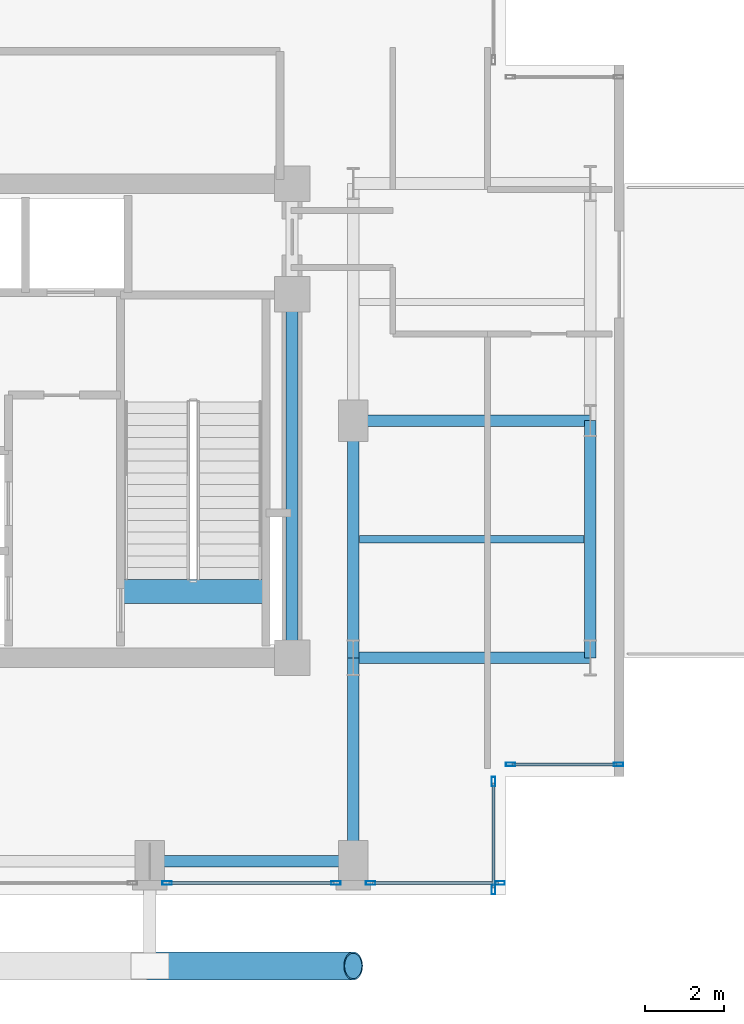
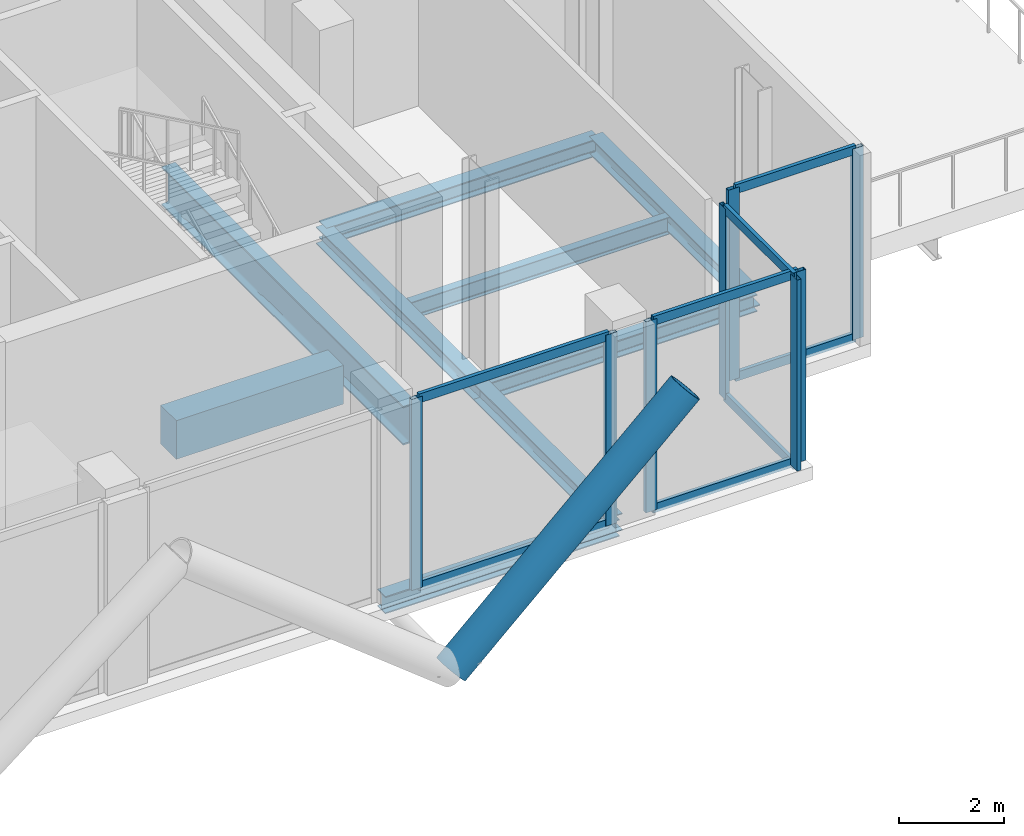
# One storey, part 8 of 19: 17 members, 9 beams, 4 elements without a shape of their own.
"""IFC4 building model written with IfcOpenShell, lengths in metres."""

from ifc_helpers import new_model, si_unit, direction, frame, origin, origin_2d, place, context, subcontext, project, spatial, rectangle, hollow_rectangle, hollow_circle, i_section, extrude, material, layer, layer_set, material_profile, profile_set, type_object, element, aggregate, save


model = new_model("IFC4")

# Units and contexts
model_context = context("Model", 3, precision=1e-05, world=origin(), true_north=direction((0.0, 1.0)))
body_context = subcontext(model_context, "Body", "Model", "MODEL_VIEW")
ifc_project = project(units=[si_unit("LENGTHUNIT", "METRE"), si_unit("AREAUNIT", "SQUARE_METRE"), si_unit("VOLUMEUNIT", "CUBIC_METRE"), si_unit("PLANEANGLEUNIT", "RADIAN"), si_unit("MASSUNIT", "GRAM", prefix="KILO"), si_unit("THERMODYNAMICTEMPERATUREUNIT", "KELVIN"), si_unit("POWERUNIT", "WATT")], contexts=[model_context])

# Site, building, storey
site_placement = place(None, origin())
site = spatial("IfcSite", under=ifc_project, at=site_placement, CompositionType="ELEMENT")
building_placement = place(site_placement, origin())
building = spatial("IfcBuilding", under=site, at=building_placement, Name="Svarakhadi Broadcast Tower", CompositionType="ELEMENT")
storey_placement = place(building_placement, frame((0.0, 0.0, 204.0)))
storey = spatial("IfcBuildingStorey", under=building, at=storey_placement, Name="L50", CompositionType="ELEMENT", Elevation=204.0)

# Beam
ifc_material_1 = material(Name="Steel S355J2 (IS 2062 E350C)", Category="steel")
ifc_material_profile_1 = material_profile(ifc_material_1, i_section(OverallWidth=0.179931640625, OverallDepth=0.39990234375, WebThickness=0.008544921875, FlangeThickness=0.013427734375, FilletRadius=0.02099609375, at=origin_2d()), Name="NPB 400x180x66")
ifc_profile_set_1 = profile_set([ifc_material_profile_1], Name="Steel S355J2 (IS 2062 E350C)")
beam_type_1 = type_object("IfcBeamType", Name="Beam_NPB400", PredefinedType="BEAM", material=ifc_profile_set_1)
beam_1_placement = place(storey_placement, frame((35.31005859375, 9.0, -0.5), z_axis=(1.0, 0.0, 0.0), x_axis=(0.0, 1.0, 0.0)))
element("IfcBeam", 1, at=beam_1_placement, inside=storey, type_object=beam_type_1, Name="L50 Secondary Composite Beam SB016", PredefinedType="BEAM", context=body_context, shape_type="SweptSolid", body=[
    extrude(i_section(OverallWidth=0.179931640625, OverallDepth=0.39990234375, WebThickness=0.008544921875, FlangeThickness=0.013427734375, FilletRadius=0.02099609375, at=origin_2d()), origin(), (0.0, 0.0, 1.0), 5.679931640625),
])

# Curtain wall, members
ifc_material_2 = material(Name="Anodised Bronze Aluminium AA 6063-T6", Category="aluminium")
ifc_layer = layer(ifc_material_2, 0.239990234375)
ifc_layer_set = layer_set([ifc_layer], Name="Anodised Bronze Aluminium AA 6063-T6")
curtain_wall_type = type_object("IfcCurtainWallType", Name="CW_Sys_06", PredefinedType="NOTDEFINED", material=ifc_layer_set)
curtain_wall_1_placement = place(storey_placement, origin())
curtain_wall_1 = element("IfcCurtainWall", 2, at=curtain_wall_1_placement, inside=storey, type_object=curtain_wall_type, Name="L50 Unitised Facade Curtain Wall 12", PredefinedType="NOTDEFINED")
ifc_material_profile_2 = material_profile(ifc_material_2, hollow_rectangle(XDim=0.090087890625, YDim=0.239990234375, WallThickness=0.006103515625, at=origin_2d()), Name="ALU MULLION 240x90x6")
ifc_profile_set_2 = profile_set([ifc_material_profile_2], Name="Anodised Bronze Aluminium AA 6063-T6")
member_type_1 = type_object("IfcMemberType", Name="CW_Sys_06_Mul", PredefinedType="MULLION", material=ifc_profile_set_2)
member_1_placement = place(storey_placement, frame((41.864990234375, 3.300048828125, 0.0), z_axis=(0.0, 0.0, 1.0), x_axis=(0.0, -1.0, 0.0)))
member_1 = element("IfcMember", 3, at=member_1_placement, type_object=member_type_1, Name="CW-06 mullion 1", PredefinedType="MULLION", context=body_context, shape_type="SweptSolid", body=[
    extrude(hollow_rectangle(XDim=0.090087890625, YDim=0.239990234375, WallThickness=0.006103515625, at=origin_2d()), origin(), (0.0, 0.0, 1.0), 4.43994140625),
])
member_2_placement = place(storey_placement, frame((39.135009765625, 3.300048828125, 0.0), z_axis=(0.0, 0.0, 1.0), x_axis=(0.0, -1.0, 0.0)))
member_2 = element("IfcMember", 4, at=member_2_placement, type_object=member_type_1, Name="CW-06 mullion 2", PredefinedType="MULLION", context=body_context, shape_type="SweptSolid", body=[
    extrude(hollow_rectangle(XDim=0.090087890625, YDim=0.239990234375, WallThickness=0.006103515625, at=origin_2d()), origin(), (0.0, 0.0, 1.0), 4.43994140625),
])

curtain_wall_2_placement = place(storey_placement, origin())
curtain_wall_2 = element("IfcCurtainWall", 5, at=curtain_wall_2_placement, inside=storey, type_object=curtain_wall_type, Name="L50 Unitised Facade Curtain Wall 13", PredefinedType="NOTDEFINED")
member_3_placement = place(storey_placement, frame((38.699951171875, 2.864990234375, 0.0), z_axis=(0.0, 0.0, 1.0), x_axis=(1.0, 0.0, 0.0)))
member_3 = element("IfcMember", 6, at=member_3_placement, type_object=member_type_1, Name="CW-06 mullion 1", PredefinedType="MULLION", context=body_context, shape_type="SweptSolid", body=[
    extrude(hollow_rectangle(XDim=0.090087890625, YDim=0.239990234375, WallThickness=0.006103515625, at=origin_2d()), origin(), (0.0, 0.0, 1.0), 4.43994140625),
])
member_4_placement = place(storey_placement, frame((38.699951171875, 0.135009765625, 0.0), z_axis=(0.0, 0.0, 1.0), x_axis=(1.0, 0.0, 0.0)))
member_4 = element("IfcMember", 7, at=member_4_placement, type_object=member_type_1, Name="CW-06 mullion 2", PredefinedType="MULLION", context=body_context, shape_type="SweptSolid", body=[
    extrude(hollow_rectangle(XDim=0.090087890625, YDim=0.239990234375, WallThickness=0.006103515625, at=origin_2d()), origin(), (0.0, 0.0, 1.0), 4.43994140625),
])

curtain_wall_3_placement = place(storey_placement, origin())
curtain_wall_3 = element("IfcCurtainWall", 8, at=curtain_wall_3_placement, inside=storey, type_object=curtain_wall_type, Name="L50 South Curtain Wall 14 Bay 1", PredefinedType="NOTDEFINED")
member_5_placement = place(storey_placement, frame((38.864990234375, 0.300048828125, 0.0), z_axis=(0.0, 0.0, 1.0), x_axis=(0.0, -1.0, 0.0)))
member_5 = element("IfcMember", 9, at=member_5_placement, type_object=member_type_1, Name="CW-06 mullion 1", PredefinedType="MULLION", context=body_context, shape_type="SweptSolid", body=[
    extrude(hollow_rectangle(XDim=0.090087890625, YDim=0.239990234375, WallThickness=0.006103515625, at=origin_2d()), origin(), (0.0, 0.0, 1.0), 4.43994140625),
])
member_6_placement = place(storey_placement, frame((35.590087890625, 0.300048828125, 0.0), z_axis=(0.0, 0.0, 1.0), x_axis=(0.0, -1.0, 0.0)))
member_6 = element("IfcMember", 10, at=member_6_placement, type_object=member_type_1, Name="CW-06 mullion 2", PredefinedType="MULLION", context=body_context, shape_type="SweptSolid", body=[
    extrude(hollow_rectangle(XDim=0.090087890625, YDim=0.239990234375, WallThickness=0.006103515625, at=origin_2d()), origin(), (0.0, 0.0, 1.0), 4.43994140625),
])

curtain_wall_4_placement = place(storey_placement, origin())
curtain_wall_4 = element("IfcCurtainWall", 11, at=curtain_wall_4_placement, inside=storey, type_object=curtain_wall_type, Name="L50 South Curtain Wall 14 Bay 2", PredefinedType="NOTDEFINED")
member_7_placement = place(storey_placement, frame((34.7099609375, 0.300048828125, 0.0), z_axis=(0.0, 0.0, 1.0), x_axis=(0.0, -1.0, 0.0)))
member_7 = element("IfcMember", 12, at=member_7_placement, type_object=member_type_1, Name="CW-06 mullion 1", PredefinedType="MULLION", context=body_context, shape_type="SweptSolid", body=[
    extrude(hollow_rectangle(XDim=0.090087890625, YDim=0.239990234375, WallThickness=0.006103515625, at=origin_2d()), origin(), (0.0, 0.0, 1.0), 4.43994140625),
])
member_8_placement = place(storey_placement, frame((30.43994140625, 0.300048828125, 0.0), z_axis=(0.0, 0.0, 1.0), x_axis=(0.0, -1.0, 0.0)))
member_8 = element("IfcMember", 13, at=member_8_placement, type_object=member_type_1, Name="CW-06 mullion 2", PredefinedType="MULLION", context=body_context, shape_type="SweptSolid", body=[
    extrude(hollow_rectangle(XDim=0.090087890625, YDim=0.239990234375, WallThickness=0.006103515625, at=origin_2d()), origin(), (0.0, 0.0, 1.0), 4.43994140625),
])

# Member
ifc_material_profile_3 = material_profile(ifc_material_2, hollow_rectangle(XDim=0.080078125, YDim=0.2099609375, WallThickness=0.0048828125, at=origin_2d()), Name="ALU TRANSOM 210x80x5")
ifc_profile_set_3 = profile_set([ifc_material_profile_3], Name="Anodised Bronze Aluminium AA 6063-T6")
member_type_2 = type_object("IfcMemberType", Name="CW_Sys_06_Trn", PredefinedType="USERDEFINED", material=ifc_profile_set_3)
member_9_placement = place(storey_placement, frame((41.820068359375, 3.300048828125, 0.0400390625), z_axis=(-1.0, 0.0, 0.0), x_axis=(0.0, -1.0, 0.0)))
member_9 = element("IfcMember", 14, at=member_9_placement, type_object=member_type_2, Name="CW-06 transom 1.1", ObjectType="TRANSOM", PredefinedType="USERDEFINED", context=body_context, shape_type="SweptSolid", body=[
    extrude(hollow_rectangle(XDim=0.080078125, YDim=0.2099609375, WallThickness=0.0048828125, at=origin_2d()), origin(), (0.0, 0.0, 1.0), 2.64013671875),
])

member_10_placement = place(storey_placement, frame((41.820068359375, 3.300048828125, 4.39990234375), z_axis=(-1.0, 0.0, 0.0), x_axis=(0.0, -1.0, 0.0)))
member_10 = element("IfcMember", 15, at=member_10_placement, type_object=member_type_2, Name="CW-06 transom 1.2", ObjectType="TRANSOM", PredefinedType="USERDEFINED", context=body_context, shape_type="SweptSolid", body=[
    extrude(hollow_rectangle(XDim=0.080078125, YDim=0.2099609375, WallThickness=0.0048828125, at=origin_2d()), origin(), (0.0, 0.0, 1.0), 2.64013671875),
])

aggregate(curtain_wall_1, [member_1, member_2, member_9, member_10])

member_11_placement = place(storey_placement, frame((38.699951171875, 2.820068359375, 0.0400390625), z_axis=(0.0, -1.0, 0.0), x_axis=(1.0, 0.0, 0.0)))
member_11 = element("IfcMember", 16, at=member_11_placement, type_object=member_type_2, Name="CW-06 transom 1.1", ObjectType="TRANSOM", PredefinedType="USERDEFINED", context=body_context, shape_type="SweptSolid", body=[
    extrude(hollow_rectangle(XDim=0.080078125, YDim=0.2099609375, WallThickness=0.0048828125, at=origin_2d()), origin(), (0.0, 0.0, 1.0), 2.64013671875),
])

member_12_placement = place(storey_placement, frame((38.699951171875, 2.820068359375, 4.39990234375), z_axis=(0.0, -1.0, 0.0), x_axis=(1.0, 0.0, 0.0)))
member_12 = element("IfcMember", 17, at=member_12_placement, type_object=member_type_2, Name="CW-06 transom 1.2", ObjectType="TRANSOM", PredefinedType="USERDEFINED", context=body_context, shape_type="SweptSolid", body=[
    extrude(hollow_rectangle(XDim=0.080078125, YDim=0.2099609375, WallThickness=0.0048828125, at=origin_2d()), origin(), (0.0, 0.0, 1.0), 2.64013671875),
])

aggregate(curtain_wall_2, [member_3, member_4, member_11, member_12])

member_13_placement = place(storey_placement, frame((38.820068359375, 0.300048828125, 0.0400390625), z_axis=(-1.0, 0.0, 0.0), x_axis=(0.0, -1.0, 0.0)))
member_13 = element("IfcMember", 18, at=member_13_placement, type_object=member_type_2, Name="CW-06 transom 1.1", ObjectType="TRANSOM", PredefinedType="USERDEFINED", context=body_context, shape_type="SweptSolid", body=[
    extrude(hollow_rectangle(XDim=0.080078125, YDim=0.2099609375, WallThickness=0.0048828125, at=origin_2d()), origin(), (0.0, 0.0, 1.0), 3.18505859375),
])

member_14_placement = place(storey_placement, frame((38.820068359375, 0.300048828125, 4.39990234375), z_axis=(-1.0, 0.0, 0.0), x_axis=(0.0, -1.0, 0.0)))
member_14 = element("IfcMember", 19, at=member_14_placement, type_object=member_type_2, Name="CW-06 transom 1.2", ObjectType="TRANSOM", PredefinedType="USERDEFINED", context=body_context, shape_type="SweptSolid", body=[
    extrude(hollow_rectangle(XDim=0.080078125, YDim=0.2099609375, WallThickness=0.0048828125, at=origin_2d()), origin(), (0.0, 0.0, 1.0), 3.18505859375),
])

aggregate(curtain_wall_3, [member_5, member_6, member_13, member_14])

member_15_placement = place(storey_placement, frame((34.6650390625, 0.300048828125, 0.0400390625), z_axis=(-1.0, 0.0, 0.0), x_axis=(0.0, -1.0, 0.0)))
member_15 = element("IfcMember", 20, at=member_15_placement, type_object=member_type_2, Name="CW-06 transom 1.1", ObjectType="TRANSOM", PredefinedType="USERDEFINED", context=body_context, shape_type="SweptSolid", body=[
    extrude(hollow_rectangle(XDim=0.080078125, YDim=0.2099609375, WallThickness=0.0048828125, at=origin_2d()), origin(), (0.0, 0.0, 1.0), 4.179931640625),
])

member_16_placement = place(storey_placement, frame((34.6650390625, 0.300048828125, 4.39990234375), z_axis=(-1.0, 0.0, 0.0), x_axis=(0.0, -1.0, 0.0)))
member_16 = element("IfcMember", 21, at=member_16_placement, type_object=member_type_2, Name="CW-06 transom 1.2", ObjectType="TRANSOM", PredefinedType="USERDEFINED", context=body_context, shape_type="SweptSolid", body=[
    extrude(hollow_rectangle(XDim=0.080078125, YDim=0.2099609375, WallThickness=0.0048828125, at=origin_2d()), origin(), (0.0, 0.0, 1.0), 4.179931640625),
])

aggregate(curtain_wall_4, [member_7, member_8, member_15, member_16])

# Beam
ifc_material_3 = material(Name="Concrete C50/60 (IS 456 M60)", Category="concrete")
ifc_material_profile_4 = material_profile(ifc_material_3, rectangle(XDim=0.60009765625, YDim=0.89990234375, at=origin_2d()), Name="RC 600x900")
ifc_profile_set_4 = profile_set([ifc_material_profile_4], Name="Concrete C50/60 (IS 456 M60)")
beam_type_2 = type_object("IfcBeamType", Name="Coupling_RC600", PredefinedType="USERDEFINED", material=ifc_profile_set_4)
beam_2_placement = place(storey_placement, frame((29.260009765625, 7.679931640625, -0.449951171875), z_axis=(1.0, 0.0, 0.0), x_axis=(0.0, 1.0, 0.0)))
element("IfcBeam", 22, at=beam_2_placement, inside=storey, type_object=beam_type_2, Name="L50 Stair ST-02 Landing Throat Trimmer Beam CB-01", ObjectType="GIRDER", PredefinedType="USERDEFINED", context=body_context, shape_type="SweptSolid", body=[
    extrude(rectangle(XDim=0.60009765625, YDim=0.89990234375, at=origin_2d()), origin(), (0.0, 0.0, 1.0), 3.679931640625),
])

# Member
ifc_material_4 = material(Name="Steel S460ML (IS 2062 E450BR)", Category="steel")
ifc_material_profile_5 = material_profile(ifc_material_4, hollow_circle(Radius=0.35546875, WallThickness=0.034912109375, at=origin_2d()), Name="CHS 711x35")
ifc_profile_set_5 = profile_set([ifc_material_profile_5], Name="Steel S460ML (IS 2062 E450BR)")
member_type_3 = type_object("IfcMemberType", Name="Exo_Brace_CHS711", PredefinedType="BRACE", material=ifc_profile_set_5)
member_17_placement = place(storey_placement, frame((30.0, -1.800048828125, -0.4619140625), z_axis=(0.73578291553, 0.0, 0.677217469661), x_axis=(0.0, 1.0, 0.0)))
element("IfcMember", 23, at=member_17_placement, inside=storey, type_object=member_type_3, Name="L50 Exposed Bronze Exoskeleton Diagonal S05", PredefinedType="BRACE", context=body_context, shape_type="SweptSolid", body=[
    extrude(hollow_circle(Radius=0.35546875, WallThickness=0.034912109375, at=origin_2d()), origin(), (0.0, 0.0, 1.0), 6.999267578125),
])

# Beams
ifc_material_profile_6 = material_profile(ifc_material_1, i_section(OverallWidth=0.300048828125, OverallDepth=0.39990234375, WebThickness=0.013427734375, FlangeThickness=0.02392578125, FilletRadius=0.027099609375, at=origin_2d()), Name="WPB 400x300x155")
ifc_profile_set_6 = profile_set([ifc_material_profile_6], Name="Steel S355J2 (IS 2062 E350C)")
beam_type_3 = type_object("IfcBeamType", Name="Girder_WPB400", PredefinedType="USERDEFINED", material=ifc_profile_set_6)
beam_3_placement = place(storey_placement, frame((30.0, 0.85009765625, -0.5), z_axis=(1.0, 0.0, 0.0), x_axis=(0.0, 1.0, 0.0)))
element("IfcBeam", 24, at=beam_3_placement, inside=storey, type_object=beam_type_3, Name="L50 Primary E-W Girder G008", ObjectType="GIRDER", PredefinedType="USERDEFINED", context=body_context, shape_type="SweptSolid", body=[
    extrude(i_section(OverallWidth=0.300048828125, OverallDepth=0.39990234375, WebThickness=0.013427734375, FlangeThickness=0.02392578125, FilletRadius=0.027099609375, at=origin_2d()), origin(), (0.0, 0.0, 1.0), 5.14990234375),
])
for number, where, z_axis, x_axis, name in (
    (25, (35.14990234375, 6.0, -0.5), (1.0, 0.0, 0.0), (0.0, 1.0, 0.0), "L50 Primary E-W Girder G014"),
    (26, (35.14990234375, 12.0, -0.5), (1.0, 0.0, 0.0), (0.0, 1.0, 0.0), "L50 Primary E-W Girder G019"),
):
    element("IfcBeam", number, at=place(storey_placement, frame(where, z_axis=z_axis, x_axis=x_axis)), inside=storey, type_object=beam_type_3, Name=name, ObjectType="GIRDER", PredefinedType="USERDEFINED", context=body_context, shape_type="SweptSolid", body=[
        extrude(i_section(OverallWidth=0.300048828125, OverallDepth=0.39990234375, WebThickness=0.013427734375, FlangeThickness=0.02392578125, FilletRadius=0.027099609375, at=origin_2d()), origin(), (0.0, 0.0, 1.0), 6.0),
    ])
beam_4_placement = place(storey_placement, frame((35.14990234375, 0.85009765625, -0.5), z_axis=(0.0, 1.0, 0.0), x_axis=(-1.0, 0.0, 0.0)))
element("IfcBeam", 27, at=beam_4_placement, inside=storey, type_object=beam_type_3, Name="L50 Primary N-S Girder G056", ObjectType="GIRDER", PredefinedType="USERDEFINED", context=body_context, shape_type="SweptSolid", body=[
    extrude(i_section(OverallWidth=0.300048828125, OverallDepth=0.39990234375, WebThickness=0.013427734375, FlangeThickness=0.02392578125, FilletRadius=0.027099609375, at=origin_2d()), origin(), (0.0, 0.0, 1.0), 5.14990234375),
])
for number, where, z_axis, x_axis, name in (
    (28, (35.14990234375, 6.0, -0.5), (0.0, 1.0, 0.0), (-1.0, 0.0, 0.0), "L50 Primary N-S Girder G057"),
    (29, (41.14990234375, 6.0, -0.5), (0.0, 1.0, 0.0), (-1.0, 0.0, 0.0), "L50 Primary N-S Girder G059"),
):
    element("IfcBeam", number, at=place(storey_placement, frame(where, z_axis=z_axis, x_axis=x_axis)), inside=storey, type_object=beam_type_3, Name=name, ObjectType="GIRDER", PredefinedType="USERDEFINED", context=body_context, shape_type="SweptSolid", body=[
        extrude(i_section(OverallWidth=0.300048828125, OverallDepth=0.39990234375, WebThickness=0.013427734375, FlangeThickness=0.02392578125, FilletRadius=0.027099609375, at=origin_2d()), origin(), (0.0, 0.0, 1.0), 6.0),
    ])
ifc_material_profile_7 = material_profile(ifc_material_4, i_section(OverallWidth=0.300048828125, OverallDepth=0.89990234375, WebThickness=0.0185546875, FlangeThickness=0.034912109375, FilletRadius=0.030029296875, at=origin_2d()), Name="WPB 900x300x291")
ifc_profile_set_7 = profile_set([ifc_material_profile_7], Name="Steel S460ML (IS 2062 E450BR)")
beam_type_4 = type_object("IfcBeamType", Name="Girder_WPB900", PredefinedType="USERDEFINED", material=ifc_profile_set_7)
beam_5_placement = place(storey_placement, frame((33.60009765625, 6.0, -0.75), z_axis=(0.0, 1.0, 0.0), x_axis=(-1.0, 0.0, 0.0)))
element("IfcBeam", 30, at=beam_5_placement, inside=storey, type_object=beam_type_4, Name="L50 Primary N-S Girder G054", ObjectType="GIRDER", PredefinedType="USERDEFINED", context=body_context, shape_type="SweptSolid", body=[
    extrude(i_section(OverallWidth=0.300048828125, OverallDepth=0.89990234375, WebThickness=0.0185546875, FlangeThickness=0.034912109375, FilletRadius=0.030029296875, at=origin_2d()), origin(), (0.0, 0.0, 1.0), 9.199951171875),
])

save(model, "model.ifc")
